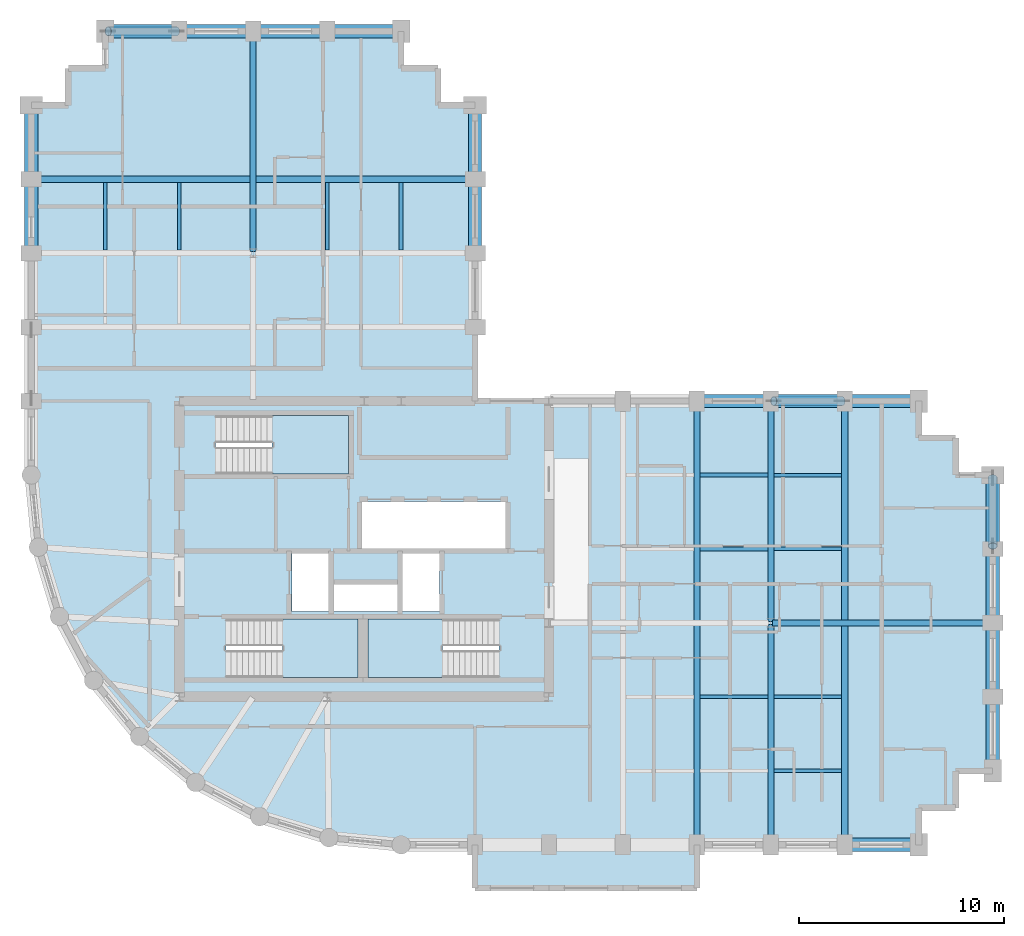
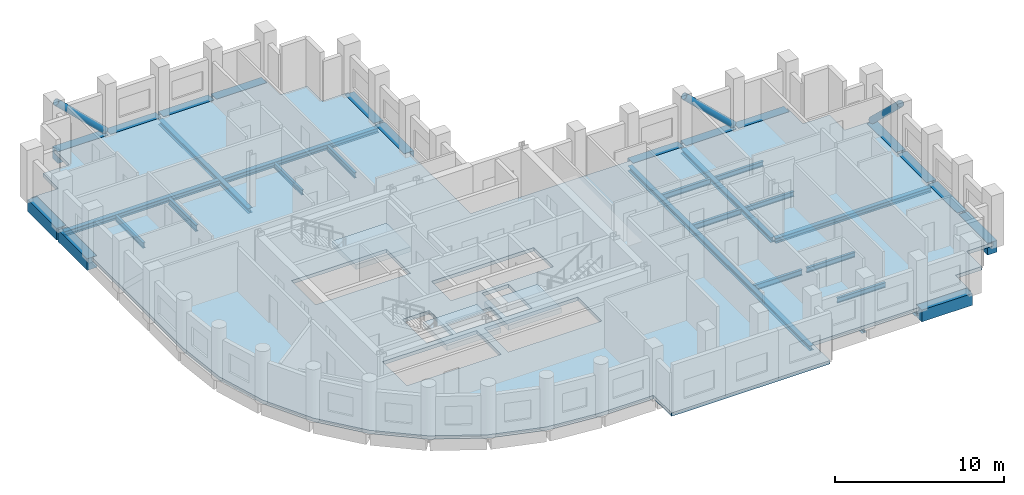
# One storey, part 2 of 9: 34 beams, 4 slabs, 3 members, 3 elements without a shape of their own.
"""IFC4 building model written with IfcOpenShell, lengths in metres."""

from ifc_helpers import new_model, si_unit, direction, frame, origin, origin_2d, place, context, subcontext, project, spatial, polyline, rectangle, hollow_circle, i_section, outline, extrude, material, layer, layer_set, material_profile, profile_set, type_object, element, aggregate, save


model = new_model("IFC4")

# Units and contexts
model_context = context("Model", 3, precision=1e-05, world=origin(), true_north=direction((0.0, 1.0)))
body_context = subcontext(model_context, "Body", "Model", "MODEL_VIEW")
ifc_project = project(units=[si_unit("LENGTHUNIT", "METRE"), si_unit("AREAUNIT", "SQUARE_METRE"), si_unit("VOLUMEUNIT", "CUBIC_METRE"), si_unit("PLANEANGLEUNIT", "RADIAN"), si_unit("MASSUNIT", "GRAM", prefix="KILO")], contexts=[model_context])

# Site, building, storey
site_placement = place(None, origin())
site = spatial("IfcSite", under=ifc_project, at=site_placement, CompositionType="ELEMENT")
building_placement = place(site_placement, origin())
building = spatial("IfcBuilding", under=site, at=building_placement, Name="Solnavia Interchange Tower", CompositionType="ELEMENT")
storey_placement = place(building_placement, frame((0.0, 0.0, 139.0)))
storey = spatial("IfcBuildingStorey", under=building, at=storey_placement, Name="L34", CompositionType="ELEMENT", Elevation=139.0)

# Beams
ifc_material_1 = material(Name="Steel S460", Category="steel")
ifc_material_profile_1 = material_profile(ifc_material_1, i_section(OverallWidth=0.300048828125, OverallDepth=0.360107421875, WebThickness=0.012451171875, FlangeThickness=0.0224609375, FilletRadius=0.027099609375, at=origin_2d()), Name="HEB 360")
ifc_profile_set_1 = profile_set([ifc_material_profile_1], Name="Steel S460")
beam_type_1 = type_object("IfcBeamType", Name="Beam-Girder-HEB360", PredefinedType="BEAM", material=ifc_profile_set_1)
beam_1_placement = place(storey_placement, frame((43.280029296875, 14.39990234375, -0.429931640625), z_axis=(1.0, 0.0, 0.0), x_axis=(0.0, 1.0, 0.0)))
element("IfcBeam", 1, at=beam_1_placement, inside=storey, type_object=beam_type_1, Name="GRD-L34-ES02 East wing spine girder", PredefinedType="BEAM", context=body_context, shape_type="SweptSolid", body=[
    extrude(i_section(OverallWidth=0.300048828125, OverallDepth=0.360107421875, WebThickness=0.012451171875, FlangeThickness=0.0224609375, FilletRadius=0.027099609375, at=origin_2d()), origin(), (0.0, 0.0, 1.0), 10.639892578125),
])
for number, where, z_axis, x_axis, name in (
    (2, (39.60009765625, 3.679931640625, -0.429931640625), (0.0, 1.0, 0.0), (-1.0, 0.0, 0.0), "GRD-L34-EW04 East wing primary floor girder"),
    (3, (46.800048828125, 3.679931640625, -0.429931640625), (0.0, 1.0, 0.0), (-1.0, 0.0, 0.0), "GRD-L34-EW07 East wing primary floor girder"),
):
    element("IfcBeam", number, at=place(storey_placement, frame(where, z_axis=z_axis, x_axis=x_axis)), inside=storey, type_object=beam_type_1, Name=name, PredefinedType="BEAM", context=body_context, shape_type="SweptSolid", body=[
        extrude(i_section(OverallWidth=0.300048828125, OverallDepth=0.360107421875, WebThickness=0.012451171875, FlangeThickness=0.0224609375, FilletRadius=0.027099609375, at=origin_2d()), origin(), (0.0, 0.0, 1.0), 21.440185546875),
    ])
beam_2_placement = place(storey_placement, frame((18.0, 32.47998046875, -0.429931640625), z_axis=(0.0, 1.0, 0.0), x_axis=(-1.0, 0.0, 0.0)))
element("IfcBeam", 4, at=beam_2_placement, inside=storey, type_object=beam_type_1, Name="GRD-L34-NS09 North wing spine girder", PredefinedType="BEAM", context=body_context, shape_type="SweptSolid", body=[
    extrude(i_section(OverallWidth=0.300048828125, OverallDepth=0.360107421875, WebThickness=0.012451171875, FlangeThickness=0.0224609375, FilletRadius=0.027099609375, at=origin_2d()), origin(), (0.0, 0.0, 1.0), 10.64013671875),
])
beam_3_placement = place(storey_placement, frame((7.280029296875, 36.0, -0.429931640625), z_axis=(1.0, 0.0, 0.0), x_axis=(0.0, 1.0, 0.0)))
element("IfcBeam", 5, at=beam_3_placement, inside=storey, type_object=beam_type_1, Name="GRD-L34-NW13 North wing primary floor girder", PredefinedType="BEAM", context=body_context, shape_type="SweptSolid", body=[
    extrude(i_section(OverallWidth=0.300048828125, OverallDepth=0.360107421875, WebThickness=0.012451171875, FlangeThickness=0.0224609375, FilletRadius=0.027099609375, at=origin_2d()), origin(), (0.0, 0.0, 1.0), 21.43994140625),
])
ifc_material_2 = material(Name="Steel S355", Category="steel")
ifc_material_profile_2 = material_profile(ifc_material_2, i_section(OverallWidth=0.169921875, OverallDepth=0.360107421875, WebThickness=0.008056640625, FlangeThickness=0.0126953125, FilletRadius=0.01806640625, at=origin_2d()), Name="IPE 360")
ifc_profile_set_2 = profile_set([ifc_material_profile_2], Name="Steel S355")
beam_type_2 = type_object("IfcBeamType", Name="Beam-Joist-IPE360", PredefinedType="JOIST", material=ifc_profile_set_2)
for number, where, z_axis, x_axis, name in (
    (6, (43.35009765625, 7.199951171875, -0.429931640625), (1.0, 0.0, 0.0), (0.0, 1.0, 0.0), "JST-L34-E03 East wing secondary joist"),
    (7, (43.35009765625, 10.800048828125, -0.429931640625), (1.0, 0.0, 0.0), (0.0, 1.0, 0.0), "JST-L34-E06 East wing secondary joist"),
    (8, (43.35009765625, 18.0, -0.429931640625), (1.0, 0.0, 0.0), (0.0, 1.0, 0.0), "JST-L34-E09 East wing secondary joist"),
    (9, (43.35009765625, 21.60009765625, -0.429931640625), (1.0, 0.0, 0.0), (0.0, 1.0, 0.0), "JST-L34-E12 East wing secondary joist"),
):
    element("IfcBeam", number, at=place(storey_placement, frame(where, z_axis=z_axis, x_axis=x_axis)), inside=storey, type_object=beam_type_2, Name=name, PredefinedType="JOIST", context=body_context, shape_type="SweptSolid", body=[
        extrude(i_section(OverallWidth=0.169921875, OverallDepth=0.360107421875, WebThickness=0.008056640625, FlangeThickness=0.0126953125, FilletRadius=0.01806640625, at=origin_2d()), origin(), (0.0, 0.0, 1.0), 3.2998046875),
    ])
beam_4_placement = place(storey_placement, frame((21.60009765625, 32.550048828125, -0.429931640625), z_axis=(0.0, 1.0, 0.0), x_axis=(-1.0, 0.0, 0.0)))
element("IfcBeam", 10, at=beam_4_placement, inside=storey, type_object=beam_type_2, Name="JST-L34-N18 North wing secondary joist", PredefinedType="JOIST", context=body_context, shape_type="SweptSolid", body=[
    extrude(i_section(OverallWidth=0.169921875, OverallDepth=0.360107421875, WebThickness=0.008056640625, FlangeThickness=0.0126953125, FilletRadius=0.01806640625, at=origin_2d()), origin(), (0.0, 0.0, 1.0), 3.300048828125),
])
ifc_material_profile_3 = material_profile(ifc_material_2, i_section(OverallWidth=0.179931640625, OverallDepth=0.39990234375, WebThickness=0.008544921875, FlangeThickness=0.013427734375, FilletRadius=0.02099609375, at=origin_2d()), Name="IPE 400")
ifc_profile_set_3 = profile_set([ifc_material_profile_3], Name="Steel S355")
beam_type_3 = type_object("IfcBeamType", Name="Beam-Joist-IPE400", PredefinedType="JOIST", material=ifc_profile_set_3)
for number, where, z_axis, x_axis, name in (
    (11, (39.75, 10.800048828125, -0.449951171875), (1.0, 0.0, 0.0), (0.0, 1.0, 0.0), "JST-L34-E05 East wing secondary joist"),
    (12, (39.75, 18.0, -0.449951171875), (1.0, 0.0, 0.0), (0.0, 1.0, 0.0), "JST-L34-E08 East wing secondary joist"),
    (13, (39.75, 21.60009765625, -0.449951171875), (1.0, 0.0, 0.0), (0.0, 1.0, 0.0), "JST-L34-E11 East wing secondary joist"),
    (14, (10.800048828125, 32.550048828125, -0.449951171875), (0.0, 1.0, 0.0), (-1.0, 0.0, 0.0), "JST-L34-N14 North wing secondary joist"),
    (15, (25.199951171875, 32.550048828125, -0.449951171875), (0.0, 1.0, 0.0), (-1.0, 0.0, 0.0), "JST-L34-N20 North wing secondary joist"),
):
    element("IfcBeam", number, at=place(storey_placement, frame(where, z_axis=z_axis, x_axis=x_axis)), inside=storey, type_object=beam_type_3, Name=name, PredefinedType="JOIST", context=body_context, shape_type="SweptSolid", body=[
        extrude(i_section(OverallWidth=0.179931640625, OverallDepth=0.39990234375, WebThickness=0.008544921875, FlangeThickness=0.013427734375, FilletRadius=0.02099609375, at=origin_2d()), origin(), (0.0, 0.0, 1.0), 3.300048828125),
    ])
ifc_material_profile_4 = material_profile(ifc_material_2, i_section(OverallWidth=0.18994140625, OverallDepth=0.449951171875, WebThickness=0.009521484375, FlangeThickness=0.0146484375, FilletRadius=0.02099609375, at=origin_2d()), Name="IPE 450")
ifc_profile_set_4 = profile_set([ifc_material_profile_4], Name="Steel S355")
beam_type_4 = type_object("IfcBeamType", Name="Beam-Joist-IPE450", PredefinedType="JOIST", material=ifc_profile_set_4)
beam_5_placement = place(storey_placement, frame((14.39990234375, 32.550048828125, -0.47509765625), z_axis=(0.0, 1.0, 0.0), x_axis=(-1.0, 0.0, 0.0)))
element("IfcBeam", 16, at=beam_5_placement, inside=storey, type_object=beam_type_4, Name="JST-L34-N16 North wing secondary joist", PredefinedType="JOIST", context=body_context, shape_type="SweptSolid", body=[
    extrude(i_section(OverallWidth=0.18994140625, OverallDepth=0.449951171875, WebThickness=0.009521484375, FlangeThickness=0.0146484375, FilletRadius=0.02099609375, at=origin_2d()), origin(), (0.0, 0.0, 1.0), 3.300048828125),
])
ifc_material_profile_5 = material_profile(ifc_material_2, i_section(OverallWidth=0.300048828125, OverallDepth=0.35009765625, WebThickness=0.010009765625, FlangeThickness=0.017578125, FilletRadius=0.027099609375, at=origin_2d()), Name="HEA 360")
ifc_profile_set_5 = profile_set([ifc_material_profile_5], Name="Steel S355")
beam_type_5 = type_object("IfcBeamType", Name="Beam-Primary-HEA360", PredefinedType="BEAM", material=ifc_profile_set_5)
for number, where, z_axis, x_axis, name in (
    (17, (43.199951171875, 3.679931640625, -0.425048828125), (0.0, 1.0, 0.0), (-1.0, 0.0, 0.0), "GRD-L34-EW05 East wing primary floor girder"),
    (18, (43.199951171875, 14.47998046875, -0.425048828125), (0.0, 1.0, 0.0), (-1.0, 0.0, 0.0), "GRD-L34-EW06 East wing primary floor girder"),
):
    element("IfcBeam", number, at=place(storey_placement, frame(where, z_axis=z_axis, x_axis=x_axis)), inside=storey, type_object=beam_type_5, Name=name, PredefinedType="BEAM", context=body_context, shape_type="SweptSolid", body=[
        extrude(i_section(OverallWidth=0.300048828125, OverallDepth=0.35009765625, WebThickness=0.010009765625, FlangeThickness=0.017578125, FilletRadius=0.027099609375, at=origin_2d()), origin(), (0.0, 0.0, 1.0), 10.64013671875),
    ])
ifc_material_3 = material(Name="Concrete C50/60", Category="concrete")
ifc_material_profile_6 = material_profile(ifc_material_3, rectangle(XDim=0.64990234375, YDim=0.85009765625, at=origin_2d()), Name="RC 650x850")
ifc_profile_set_6 = profile_set([ifc_material_profile_6], Name="Concrete C50/60")
beam_type_6 = type_object("IfcBeamType", Name="Beam-Spandrel-RC650x850", PredefinedType="SPANDREL", material=ifc_profile_set_6)
beam_6_placement = place(storey_placement, frame((46.8798828125, 3.60009765625, -0.425048828125), z_axis=(1.0, 0.0, 0.0), x_axis=(0.0, 1.0, 0.0)))
element("IfcBeam", 19, at=beam_6_placement, inside=storey, type_object=beam_type_6, Name="SPB-L34-15 Framed-tube perimeter spandrel beam", PredefinedType="SPANDREL", context=body_context, shape_type="SweptSolid", body=[
    extrude(rectangle(XDim=0.64990234375, YDim=0.85009765625, at=origin_2d()), origin(), (0.0, 0.0, 1.0), 3.440185546875),
])
beam_7_placement = place(storey_placement, frame((54.0, 7.280029296875, -0.425048828125), z_axis=(0.0, 1.0, 0.0), x_axis=(-1.0, 0.0, 0.0)))
element("IfcBeam", 20, at=beam_7_placement, inside=storey, type_object=beam_type_6, Name="SPB-L34-16 Framed-tube perimeter spandrel beam", PredefinedType="SPANDREL", context=body_context, shape_type="SweptSolid", body=[
    extrude(rectangle(XDim=0.64990234375, YDim=0.85009765625, at=origin_2d()), origin(), (0.0, 0.0, 1.0), 3.43994140625),
])
beam_8_placement = place(storey_placement, frame((54.0, 10.8798828125, -0.425048828125), z_axis=(0.0, 1.0, 0.0), x_axis=(-1.0, 0.0, 0.0)))
element("IfcBeam", 21, at=beam_8_placement, inside=storey, type_object=beam_type_6, Name="SPB-L34-17 Framed-tube perimeter spandrel beam", PredefinedType="SPANDREL", context=body_context, shape_type="SweptSolid", body=[
    extrude(rectangle(XDim=0.64990234375, YDim=0.85009765625, at=origin_2d()), origin(), (0.0, 0.0, 1.0), 3.440185546875),
])
for number, where, z_axis, x_axis, name in (
    (22, (54.0, 14.47998046875, -0.425048828125), (0.0, 1.0, 0.0), (-1.0, 0.0, 0.0), "SPB-L34-18 Framed-tube perimeter spandrel beam"),
    (23, (54.0, 18.080078125, -0.425048828125), (0.0, 1.0, 0.0), (-1.0, 0.0, 0.0), "SPB-L34-19 Framed-tube perimeter spandrel beam"),
):
    element("IfcBeam", number, at=place(storey_placement, frame(where, z_axis=z_axis, x_axis=x_axis)), inside=storey, type_object=beam_type_6, Name=name, PredefinedType="SPANDREL", context=body_context, shape_type="SweptSolid", body=[
        extrude(rectangle(XDim=0.64990234375, YDim=0.85009765625, at=origin_2d()), origin(), (0.0, 0.0, 1.0), 3.43994140625),
    ])
beam_9_placement = place(storey_placement, frame((50.320068359375, 25.199951171875, -0.425048828125), z_axis=(-1.0, 0.0, 0.0), x_axis=(0.0, -1.0, 0.0)))
element("IfcBeam", 24, at=beam_9_placement, inside=storey, type_object=beam_type_6, Name="SPB-L34-20 Framed-tube perimeter spandrel beam", PredefinedType="SPANDREL", context=body_context, shape_type="SweptSolid", body=[
    extrude(rectangle(XDim=0.64990234375, YDim=0.85009765625, at=origin_2d()), origin(), (0.0, 0.0, 1.0), 3.440185546875),
])
beam_10_placement = place(storey_placement, frame((46.719970703125, 25.199951171875, -0.425048828125), z_axis=(-1.0, 0.0, 0.0), x_axis=(0.0, -1.0, 0.0)))
element("IfcBeam", 25, at=beam_10_placement, inside=storey, type_object=beam_type_6, Name="SPB-L34-21 Framed-tube perimeter spandrel beam", PredefinedType="SPANDREL", context=body_context, shape_type="SweptSolid", body=[
    extrude(rectangle(XDim=0.64990234375, YDim=0.85009765625, at=origin_2d()), origin(), (0.0, 0.0, 1.0), 3.43994140625),
])
beam_11_placement = place(storey_placement, frame((43.1201171875, 25.199951171875, -0.425048828125), z_axis=(-1.0, 0.0, 0.0), x_axis=(0.0, -1.0, 0.0)))
element("IfcBeam", 26, at=beam_11_placement, inside=storey, type_object=beam_type_6, Name="SPB-L34-22 Framed-tube perimeter spandrel beam", PredefinedType="SPANDREL", context=body_context, shape_type="SweptSolid", body=[
    extrude(rectangle(XDim=0.64990234375, YDim=0.85009765625, at=origin_2d()), origin(), (0.0, 0.0, 1.0), 3.440185546875),
])
for number, where, z_axis, x_axis, name in (
    (27, (28.800048828125, 32.47998046875, -0.425048828125), (0.0, 1.0, 0.0), (-1.0, 0.0, 0.0), "SPB-L34-26 Framed-tube perimeter spandrel beam"),
    (28, (28.800048828125, 36.080078125, -0.425048828125), (0.0, 1.0, 0.0), (-1.0, 0.0, 0.0), "SPB-L34-27 Framed-tube perimeter spandrel beam"),
):
    element("IfcBeam", number, at=place(storey_placement, frame(where, z_axis=z_axis, x_axis=x_axis)), inside=storey, type_object=beam_type_6, Name=name, PredefinedType="SPANDREL", context=body_context, shape_type="SweptSolid", body=[
        extrude(rectangle(XDim=0.64990234375, YDim=0.85009765625, at=origin_2d()), origin(), (0.0, 0.0, 1.0), 3.43994140625),
    ])
beam_12_placement = place(storey_placement, frame((25.1201171875, 43.199951171875, -0.425048828125), z_axis=(-1.0, 0.0, 0.0), x_axis=(0.0, -1.0, 0.0)))
element("IfcBeam", 29, at=beam_12_placement, inside=storey, type_object=beam_type_6, Name="SPB-L34-28 Framed-tube perimeter spandrel beam", PredefinedType="SPANDREL", context=body_context, shape_type="SweptSolid", body=[
    extrude(rectangle(XDim=0.64990234375, YDim=0.85009765625, at=origin_2d()), origin(), (0.0, 0.0, 1.0), 3.440185546875),
])
for number, where, z_axis, x_axis, name in (
    (30, (21.52001953125, 43.199951171875, -0.425048828125), (-1.0, 0.0, 0.0), (0.0, -1.0, 0.0), "SPB-L34-29 Framed-tube perimeter spandrel beam"),
    (31, (17.919921875, 43.199951171875, -0.425048828125), (-1.0, 0.0, 0.0), (0.0, -1.0, 0.0), "SPB-L34-30 Framed-tube perimeter spandrel beam"),
):
    element("IfcBeam", number, at=place(storey_placement, frame(where, z_axis=z_axis, x_axis=x_axis)), inside=storey, type_object=beam_type_6, Name=name, PredefinedType="SPANDREL", context=body_context, shape_type="SweptSolid", body=[
        extrude(rectangle(XDim=0.64990234375, YDim=0.85009765625, at=origin_2d()), origin(), (0.0, 0.0, 1.0), 3.43994140625),
    ])
beam_13_placement = place(storey_placement, frame((14.320068359375, 43.199951171875, -0.425048828125), z_axis=(-1.0, 0.0, 0.0), x_axis=(0.0, -1.0, 0.0)))
element("IfcBeam", 32, at=beam_13_placement, inside=storey, type_object=beam_type_6, Name="SPB-L34-31 Framed-tube perimeter spandrel beam", PredefinedType="SPANDREL", context=body_context, shape_type="SweptSolid", body=[
    extrude(rectangle(XDim=0.64990234375, YDim=0.85009765625, at=origin_2d()), origin(), (0.0, 0.0, 1.0), 3.440185546875),
])
for number, where, z_axis, x_axis, name in (
    (33, (7.199951171875, 39.52001953125, -0.425048828125), (0.0, -1.0, 0.0), (1.0, 0.0, 0.0), "SPB-L34-32 Framed-tube perimeter spandrel beam"),
    (34, (7.199951171875, 35.919921875, -0.425048828125), (0.0, -1.0, 0.0), (1.0, 0.0, 0.0), "SPB-L34-33 Framed-tube perimeter spandrel beam"),
):
    element("IfcBeam", number, at=place(storey_placement, frame(where, z_axis=z_axis, x_axis=x_axis)), inside=storey, type_object=beam_type_6, Name=name, PredefinedType="SPANDREL", context=body_context, shape_type="SweptSolid", body=[
        extrude(rectangle(XDim=0.64990234375, YDim=0.85009765625, at=origin_2d()), origin(), (0.0, 0.0, 1.0), 3.43994140625),
    ])

# Members
ifc_material_profile_7 = material_profile(ifc_material_1, hollow_circle(Radius=0.228515625, WallThickness=0.02001953125, at=origin_2d()), Name="CHS 457x20")
ifc_profile_set_7 = profile_set([ifc_material_profile_7], Name="Steel S460")
member_type = type_object("IfcMemberType", Name="Brace-Perim-CHS457", PredefinedType="BRACE", material=ifc_profile_set_7)
for number, where, z_axis, x_axis, name in (
    (35, (54.0, 21.4599609375, 0.179931640625), (0.0, -0.721070427335, 0.692861774688), (1.0, 0.0, 0.0), "BRC-L34-02 Perimeter tube diagonal brace"),
    (36, (14.260009765625, 43.199951171875, 0.179931640625), (-0.721070427335, 0.0, 0.692861774688), (0.0, -1.0, 0.0), "BRC-L34-03 Perimeter tube diagonal brace"),
    (37, (46.659912109375, 25.199951171875, 0.179931640625), (-0.721044971413, 0.0, 0.692888266028), (0.0, -1.0, 0.0), "BRC-L34-04 Perimeter tube diagonal brace"),
):
    element("IfcMember", number, at=place(storey_placement, frame(where, z_axis=z_axis, x_axis=x_axis)), inside=storey, type_object=member_type, Name=name, PredefinedType="BRACE", context=body_context, shape_type="SweptSolid", body=[
        extrude(hollow_circle(Radius=0.228515625, WallThickness=0.02001953125, at=origin_2d()), origin(), (0.0, 0.0, 1.0), 4.604248046875),
    ])

# Stair, slab
ifc_material_4 = material(Name="Concrete C40/50", Category="concrete")
stair_type = type_object("IfcStairType", Name="Stair-Dogleg-RC", PredefinedType="HALF_TURN_STAIR", material=ifc_material_4)
stair_1_placement = place(storey_placement, origin())
stair_1 = element("IfcStair", 38, at=stair_1_placement, inside=storey, type_object=stair_type, Name="L34 Core exit stair 1", PredefinedType="HALF_TURN_STAIR")
ifc_layer_1 = layer(ifc_material_4, 0.35009765625)
ifc_layer_set_1 = layer_set([ifc_layer_1], Name="Concrete C40/50")
slab_type_1 = type_object("IfcSlabType", Name="Slab-StairLanding-350", PredefinedType="LANDING", material=ifc_layer_set_1)
slab_1_placement = place(storey_placement, frame((0.0, 0.0, 1.550048828125)))
slab_1 = element("IfcSlab", 39, at=slab_1_placement, type_object=slab_type_1, Name="ST-1 landing 1", PredefinedType="LANDING", context=body_context, shape_type="SweptSolid", body=[
    extrude(outline(polyline([(19.427978515625, 11.75), (23.10009765625, 11.75), (23.10009765625, 14.590087890625), (19.427978515625, 14.590087890625), (19.427978515625, 11.75)])), origin(), (0.0, 0.0, 1.0), 0.349853515625),
])
aggregate(stair_1, [slab_1])

stair_2_placement = place(storey_placement, origin())
stair_2 = element("IfcStair", 40, at=stair_2_placement, inside=storey, type_object=stair_type, Name="L34 Core exit stair 2", PredefinedType="HALF_TURN_STAIR")
slab_2_placement = place(storey_placement, frame((0.0, 0.0, 1.550048828125)))
slab_2 = element("IfcSlab", 41, at=slab_2_placement, type_object=slab_type_1, Name="ST-2 landing 1", PredefinedType="LANDING", context=body_context, shape_type="SweptSolid", body=[
    extrude(outline(polyline([(23.60009765625, 11.75), (27.221923828125, 11.75), (27.221923828125, 14.590087890625), (23.60009765625, 14.590087890625), (23.60009765625, 11.75)])), origin(), (0.0, 0.0, 1.0), 0.349853515625),
])
aggregate(stair_2, [slab_2])

stair_3_placement = place(storey_placement, origin())
stair_3 = element("IfcStair", 42, at=stair_3_placement, inside=storey, type_object=stair_type, Name="L34 Core exit stair 3", PredefinedType="HALF_TURN_STAIR")
slab_3_placement = place(storey_placement, frame((0.0, 0.0, 1.550048828125)))
slab_3 = element("IfcSlab", 43, at=slab_3_placement, type_object=slab_type_1, Name="ST-3 landing 1", PredefinedType="LANDING", context=body_context, shape_type="SweptSolid", body=[
    extrude(outline(polyline([(18.927978515625, 21.64990234375), (22.64990234375, 21.64990234375), (22.64990234375, 24.489990234375), (18.927978515625, 24.489990234375), (18.927978515625, 21.64990234375)])), origin(), (0.0, 0.0, 1.0), 0.349853515625),
])
aggregate(stair_3, [slab_3])

# Slab
ifc_layer_2 = layer(ifc_material_4, 0.25)
ifc_layer_set_2 = layer_set([ifc_layer_2], Name="Concrete C40/50")
slab_type_2 = type_object("IfcSlabType", Name="Slab-Tower-250", PredefinedType="FLOOR", material=ifc_layer_set_2)
slab_4_placement = place(storey_placement, frame((0.0, 0.0, -0.25)))
element("IfcSlab", 44, at=slab_4_placement, inside=storey, type_object=slab_type_2, Name="SLB-L34-01 Structural floor slab", PredefinedType="FLOOR", context=body_context, shape_type="SweptSolid", body=[
    extrude(outline(polyline([(25.199951171875, 3.60009765625), (28.800048828125, 3.60009765625), (28.800048828125, 1.5), (39.60009765625, 1.5), (39.60009765625, 3.60009765625), (50.39990234375, 3.60009765625), (50.39990234375, 5.39990234375), (52.199951171875, 5.39990234375), (52.199951171875, 7.199951171875), (54.0, 7.199951171875), (54.0, 21.60009765625), (52.199951171875, 21.60009765625), (52.199951171875, 23.39990234375), (50.39990234375, 23.39990234375), (50.39990234375, 25.199951171875), (28.800048828125, 25.199951171875), (28.800048828125, 39.60009765625), (27.0, 39.60009765625), (27.0, 41.39990234375), (25.199951171875, 41.39990234375), (25.199951171875, 43.199951171875), (10.800048828125, 43.199951171875), (10.800048828125, 41.39990234375), (9.0, 41.39990234375), (9.0, 39.60009765625), (7.199951171875, 39.60009765625), (7.199951171875, 21.60009765625), (7.5458984375, 18.087890625), (8.570068359375, 14.7119140625), (10.23388671875, 11.60009765625), (12.471923828125, 8.8720703125), (15.199951171875, 6.634033203125), (18.31201171875, 4.969970703125), (21.68798828125, 3.946044921875), (25.199951171875, 3.60009765625)]), holes=[polyline([(16.675048828125, 11.75), (23.10009765625, 11.75), (23.10009765625, 14.590087890625), (16.675048828125, 14.590087890625), (16.675048828125, 11.75)]), polyline([(23.60009765625, 11.75), (29.97509765625, 11.75), (29.97509765625, 14.590087890625), (23.60009765625, 14.590087890625), (23.60009765625, 11.75)]), polyline([(16.175048828125, 21.64990234375), (22.64990234375, 21.64990234375), (22.64990234375, 24.489990234375), (16.175048828125, 24.489990234375), (16.175048828125, 21.64990234375)]), polyline([(19.8798828125, 14.9599609375), (21.679931640625, 14.9599609375), (21.679931640625, 17.780029296875), (19.8798828125, 17.780029296875), (19.8798828125, 14.9599609375)]), polyline([(25.280029296875, 14.9599609375), (27.080078125, 14.9599609375), (27.080078125, 17.780029296875), (25.280029296875, 17.780029296875), (25.280029296875, 14.9599609375)]), polyline([(21.919921875, 14.9599609375), (25.02001953125, 14.9599609375), (25.02001953125, 16.280029296875), (21.919921875, 16.280029296875), (21.919921875, 14.9599609375)]), polyline([(23.300048828125, 18.02001953125), (30.280029296875, 18.02001953125), (30.280029296875, 20.300048828125), (23.300048828125, 20.300048828125), (23.300048828125, 18.02001953125)])]), origin(), (0.0, 0.0, 1.0), 0.25),
])

save(model, "model.ifc")
